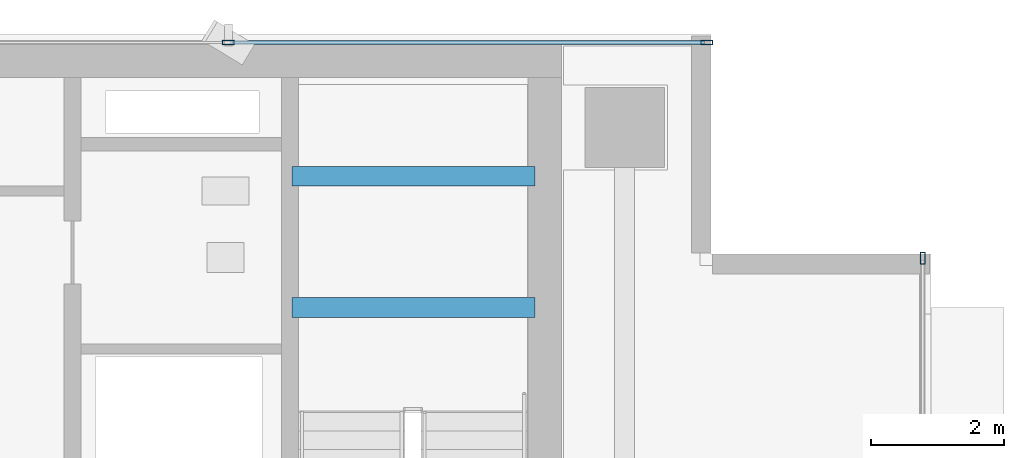
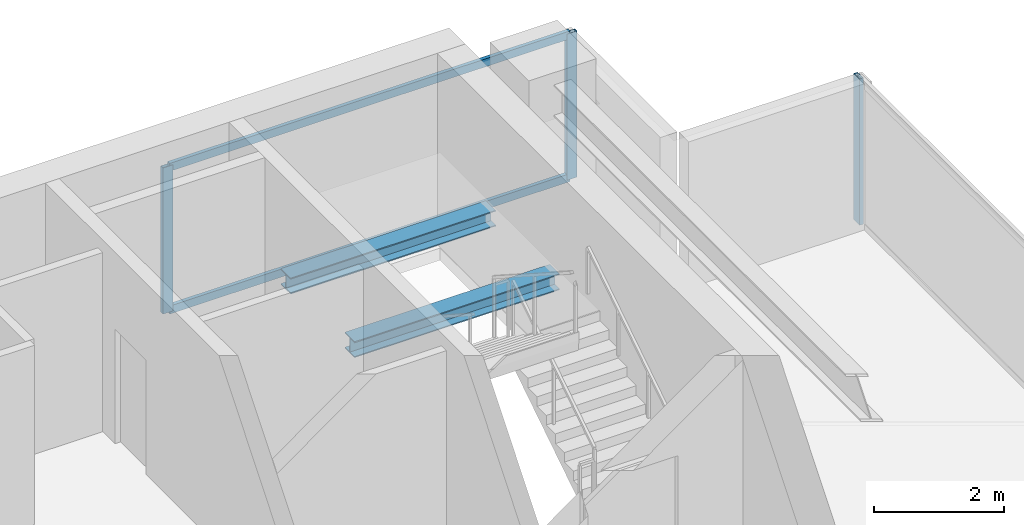
# One storey, part 14 of 22: 5 members, 2 beams, 2 elements without a shape of their own.
"""IFC4 building model written with IfcOpenShell, lengths in metres."""

from ifc_helpers import new_model, si_unit, direction, frame, origin, origin_2d, place, context, subcontext, project, spatial, hollow_rectangle, i_section, extrude, source, transform, mapped, material, layer, layer_set, material_profile, profile_set, type_object, element, aggregate, save


model = new_model("IFC4")

# Units and contexts
model_context = context("Model", 3, precision=1e-05, world=origin(), true_north=direction((0.0, 1.0)))
body_context = subcontext(model_context, "Body", "Model", "MODEL_VIEW")
ifc_project = project(units=[si_unit("LENGTHUNIT", "METRE"), si_unit("AREAUNIT", "SQUARE_METRE"), si_unit("VOLUMEUNIT", "CUBIC_METRE"), si_unit("PLANEANGLEUNIT", "RADIAN"), si_unit("MASSUNIT", "GRAM", prefix="KILO")], contexts=[model_context])

# Site, building, storey
site_placement = place(None, origin())
site = spatial("IfcSite", under=ifc_project, at=site_placement, CompositionType="ELEMENT")
building_placement = place(site_placement, origin())
building = spatial("IfcBuilding", under=site, at=building_placement, Name="Sumidabori Civic Tower", CompositionType="ELEMENT")
storey_placement = place(building_placement, frame((0.0, 0.0, 272.0)))
storey = spatial("IfcBuildingStorey", under=building, at=storey_placement, Name="L71", CompositionType="ELEMENT", Elevation=272.0)

# Beams
ifc_material_1 = material(Name="Steel SN490", Category="steel")
ifc_material_profile_1 = material_profile(ifc_material_1, i_section(OverallWidth=0.300048828125, OverallDepth=0.300048828125, WebThickness=0.010986328125, FlangeThickness=0.01904296875, at=origin_2d()), Name="HE 300 B")
ifc_profile_set_1 = profile_set([ifc_material_profile_1], Name="Steel SN490")
beam_type = type_object("IfcBeamType", Name="BM-LDG-300", PredefinedType="BEAM", material=ifc_profile_set_1)
shared_shape_1 = source(origin(), body_context, "Body", "SweptSolid", [
    extrude(i_section(OverallWidth=0.300048828125, OverallDepth=0.300048828125, WebThickness=0.010986328125, FlangeThickness=0.01904296875, at=origin_2d()), origin(), (0.0, 0.0, 1.0), 3.64990234375),
])
for number, where, z_axis, x_axis, name in (
    (1, (11.800048828125, 20.09765625, 1.449951171875), (1.0, 0.0, 0.0), (0.0, 1.0, 0.0), "Stair ST-2 Landing Support Beam L71-1A"),
    (2, (11.800048828125, 22.069580078125, 1.449951171875), (1.0, 0.0, 0.0), (0.0, 1.0, 0.0), "Stair ST-2 Landing Trimmer Beam L71-1B"),
):
    element("IfcBeam", number, at=place(storey_placement, frame(where, z_axis=z_axis, x_axis=x_axis)), inside=storey, type_object=beam_type, Name=name, PredefinedType="BEAM", context=body_context, shape_type="MappedRepresentation", body=[
        mapped(shared_shape_1, transform((0.0, 0.0, 0.0), x_axis=(1.0, 0.0, 0.0), y_axis=(0.0, 1.0, 0.0), z_axis=(0.0, 0.0, 1.0), scale=1.0)),
    ])

# Curtain wall, member
ifc_material_2 = material(Name="Anodised Bronze Aluminium AW-6063-T6", Category="aluminium")
ifc_layer = layer(ifc_material_2, 0.179931640625, Name="Anodised Bronze Aluminium AW-6063-T6")
ifc_layer_set = layer_set([ifc_layer], Name="Anodised Bronze Aluminium AW-6063-T6")
curtain_wall_type = type_object("IfcCurtainWallType", Name="CW-SYS-6", PredefinedType="NOTDEFINED", material=ifc_layer_set)
curtain_wall_1_placement = place(storey_placement, origin())
curtain_wall_1 = element("IfcCurtainWall", 3, at=curtain_wall_1_placement, inside=storey, type_object=curtain_wall_type, Name="Curtain Wall CW:L71:R04", PredefinedType="NOTDEFINED")
ifc_material_profile_2 = material_profile(ifc_material_2, hollow_rectangle(XDim=0.070068359375, YDim=0.179931640625, WallThickness=0.006103515625, at=origin_2d()), Name="ALU MULLION 180x70")
ifc_profile_set_2 = profile_set([ifc_material_profile_2], Name="Anodised Bronze Aluminium AW-6063-T6")
member_type_1 = type_object("IfcMemberType", Name="CW-MUL-180", PredefinedType="MULLION", material=ifc_profile_set_2)
shared_shape_2 = source(origin(), body_context, "Body", "SweptSolid", [
    extrude(hollow_rectangle(XDim=0.070068359375, YDim=0.179931640625, WallThickness=0.006103515625, at=origin_2d()), origin(), (0.0, 0.0, 1.0), 2.75),
])
member_1_placement = place(storey_placement, frame((21.280029296875, 20.8349609375, 0.0), z_axis=(0.0, 0.0, 1.0), x_axis=(-1.0, 0.0, 0.0)))
member_1 = element("IfcMember", 4, at=member_1_placement, type_object=member_type_1, Name="CW-6 mullion 5", PredefinedType="MULLION", context=body_context, shape_type="MappedRepresentation", body=[
    mapped(shared_shape_2, transform((0.0, 0.0, 0.0), x_axis=(1.0, 0.0, 0.0), y_axis=(0.0, 1.0, 0.0), z_axis=(0.0, 0.0, 1.0), scale=1.0)),
])
aggregate(curtain_wall_1, [member_1])

# Curtain wall, members
curtain_wall_2_placement = place(storey_placement, origin())
curtain_wall_2 = element("IfcCurtainWall", 5, at=curtain_wall_2_placement, inside=storey, type_object=curtain_wall_type, Name="Curtain Wall CW:L71:R07", PredefinedType="NOTDEFINED")
member_2_placement = place(storey_placement, frame((18.034912109375, 24.080078125, 0.0), z_axis=(0.0, 0.0, 1.0), x_axis=(0.0, -1.0, 0.0)))
member_2 = element("IfcMember", 6, at=member_2_placement, type_object=member_type_1, Name="CW-6 mullion 1", PredefinedType="MULLION", context=body_context, shape_type="MappedRepresentation", body=[
    mapped(shared_shape_2, transform((0.0, 0.0, 0.0), x_axis=(1.0, 0.0, 0.0), y_axis=(0.0, 1.0, 0.0), z_axis=(0.0, 0.0, 1.0), scale=1.0)),
])
member_3_placement = place(storey_placement, frame((10.842041015625, 24.080078125, 0.0), z_axis=(0.0, 0.0, 1.0), x_axis=(0.0, -1.0, 0.0)))
member_3 = element("IfcMember", 7, at=member_3_placement, type_object=member_type_1, Name="CW-6 mullion 2", PredefinedType="MULLION", context=body_context, shape_type="MappedRepresentation", body=[
    mapped(shared_shape_2, transform((0.0, 0.0, 0.0), x_axis=(1.0, 0.0, 0.0), y_axis=(0.0, 1.0, 0.0), z_axis=(0.0, 0.0, 1.0), scale=1.0)),
])
ifc_material_profile_3 = material_profile(ifc_material_2, hollow_rectangle(XDim=0.06494140625, YDim=0.14990234375, WallThickness=0.0048828125, at=origin_2d()), Name="ALU TRANSOM 150x65")
ifc_profile_set_3 = profile_set([ifc_material_profile_3], Name="Anodised Bronze Aluminium AW-6063-T6")
member_type_2 = type_object("IfcMemberType", Name="CW-TRN-150", PredefinedType="USERDEFINED", material=ifc_profile_set_3)
shared_shape_3 = source(origin(), body_context, "Body", "SweptSolid", [
    extrude(hollow_rectangle(XDim=0.06494140625, YDim=0.14990234375, WallThickness=0.0048828125, at=origin_2d()), origin(), (0.0, 0.0, 1.0), 7.123046875),
])
member_4_placement = place(storey_placement, frame((18.0, 24.080078125, 0.032470703125), z_axis=(-1.0, 0.0, 0.0), x_axis=(0.0, -1.0, 0.0)))
member_4 = element("IfcMember", 8, at=member_4_placement, type_object=member_type_2, Name="CW-6 transom 1.1", ObjectType="TRANSOM", PredefinedType="USERDEFINED", context=body_context, shape_type="MappedRepresentation", body=[
    mapped(shared_shape_3, transform((0.0, 0.0, 0.0), x_axis=(1.0, 0.0, 0.0), y_axis=(0.0, 1.0, 0.0), z_axis=(0.0, 0.0, 1.0), scale=1.0)),
])
member_5_placement = place(storey_placement, frame((18.0, 24.080078125, 2.717529296875), z_axis=(-1.0, 0.0, 0.0), x_axis=(0.0, -1.0, 0.0)))
member_5 = element("IfcMember", 9, at=member_5_placement, type_object=member_type_2, Name="CW-6 transom 1.2", ObjectType="TRANSOM", PredefinedType="USERDEFINED", context=body_context, shape_type="MappedRepresentation", body=[
    mapped(shared_shape_3, transform((0.0, 0.0, 0.0), x_axis=(1.0, 0.0, 0.0), y_axis=(0.0, 1.0, 0.0), z_axis=(0.0, 0.0, 1.0), scale=1.0)),
])
aggregate(curtain_wall_2, [member_2, member_3, member_4, member_5])

save(model, "model.ifc")
